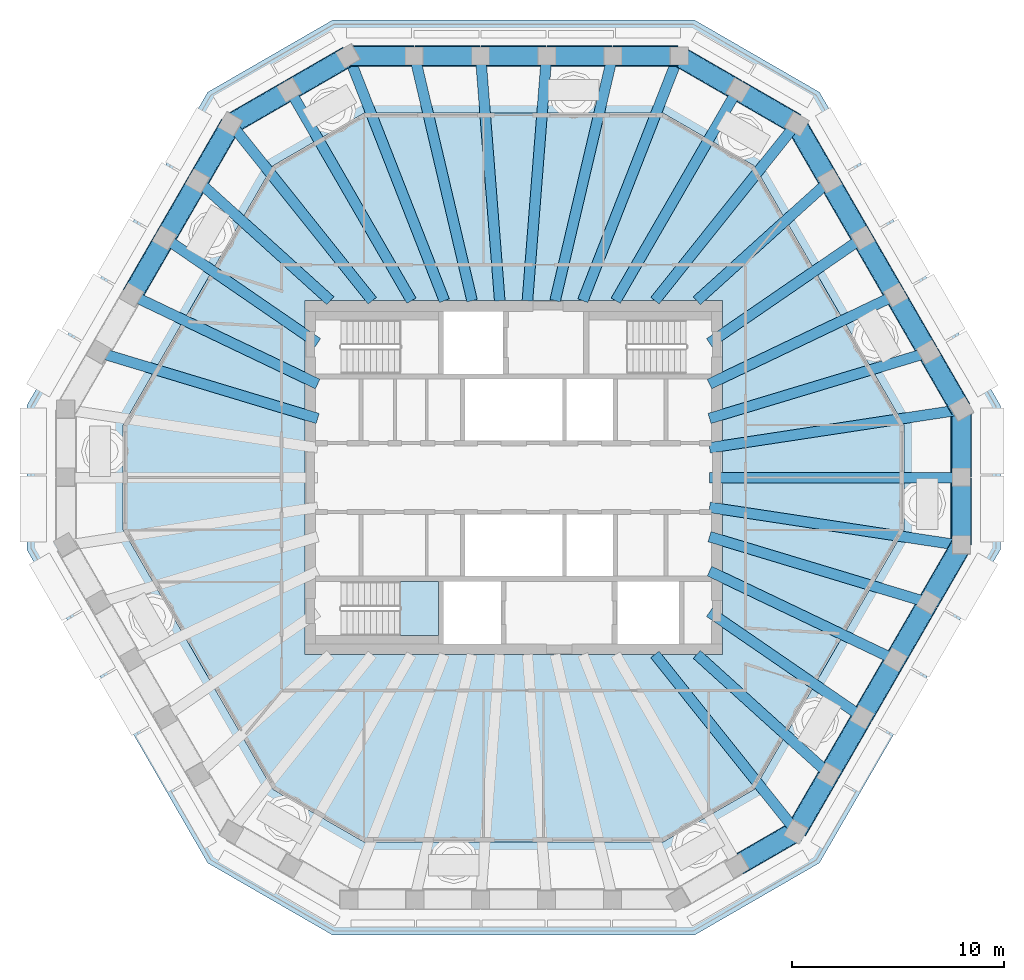
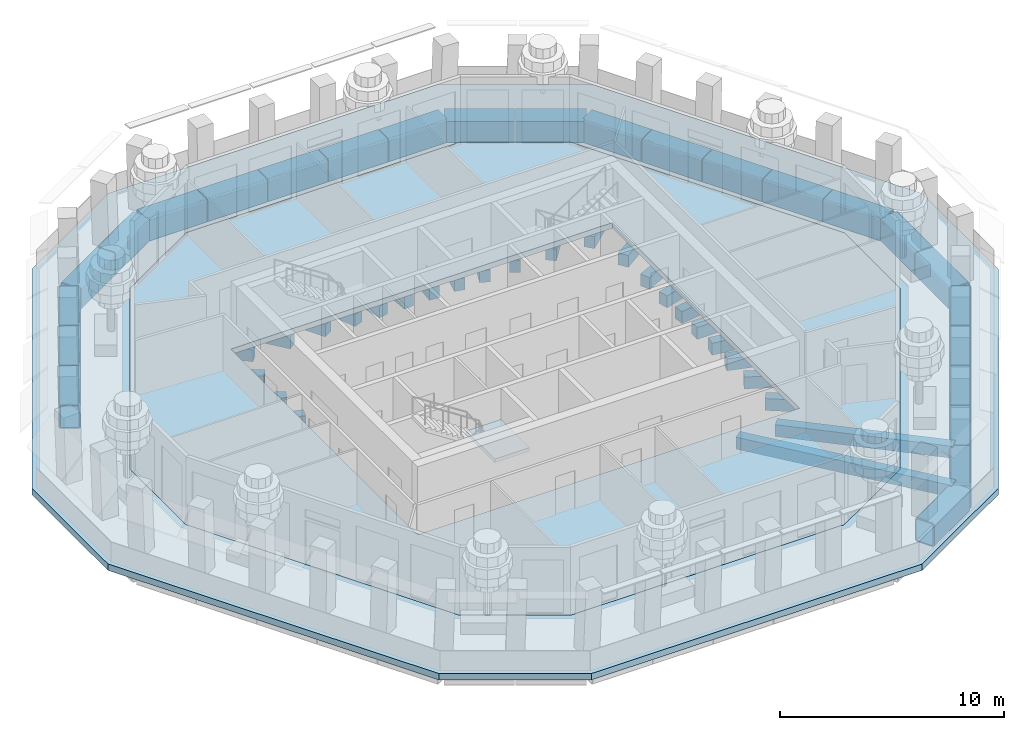
# One storey, part 2 of 13: 51 beams, 3 slabs, 1 element without a shape of its own.
"""IFC4 building model written with IfcOpenShell, lengths in metres."""

from ifc_helpers import new_model, si_unit, direction, frame, origin, origin_2d, place, context, subcontext, project, spatial, polyline, rectangle, hollow_rectangle, outline, extrude, material, layer, layer_set, material_profile, profile_set, type_object, element, aggregate, save


model = new_model("IFC4")

# Units and contexts
model_context = context("Model", 3, precision=1e-05, world=origin(), true_north=direction((0.0, 1.0)))
body_context = subcontext(model_context, "Body", "Model", "MODEL_VIEW")
ifc_project = project(units=[si_unit("LENGTHUNIT", "METRE"), si_unit("AREAUNIT", "SQUARE_METRE"), si_unit("VOLUMEUNIT", "CUBIC_METRE"), si_unit("PLANEANGLEUNIT", "RADIAN"), si_unit("MASSUNIT", "GRAM", prefix="KILO")], contexts=[model_context])

# Site, building, storey
site_placement = place(None, origin())
site = spatial("IfcSite", under=ifc_project, at=site_placement, CompositionType="ELEMENT")
building_placement = place(site_placement, origin())
building = spatial("IfcBuilding", under=site, at=building_placement, Name="Frailejon Research Tower", CompositionType="ELEMENT")
storey_placement = place(building_placement, frame((0.0, 0.0, 308.60009765625)))
storey = spatial("IfcBuildingStorey", under=building, at=storey_placement, Name="L68", CompositionType="ELEMENT", Elevation=308.60009765625)

# Beams
ifc_material_1 = material(Name="Steel S355", Category="steel")
ifc_material_profile_1 = material_profile(ifc_material_1, hollow_rectangle(XDim=1.0, YDim=1.300048828125, WallThickness=0.06005859375, InnerFilletRadius=0.06005859375, OuterFilletRadius=0.1201171875, at=origin_2d()), Name="Belt chord")
ifc_profile_set_1 = profile_set([ifc_material_profile_1], Name="Steel S355")
beam_type_1 = type_object("IfcBeamType", Name="Belt chord", PredefinedType="BEAM", material=ifc_profile_set_1)
for number, where, z_axis, x_axis, name in (
    (1, (21.12744140625, -3.18603515625, -1.0), (0.0, 1.0, 0.0), (-1.0, 0.0, 0.0), "Belt chord"),
    (2, (21.12744140625, 0.02001953125, -1.0), (0.0, 1.0, 0.0), (-1.0, 0.0, 0.0), "Belt chord"),
):
    element("IfcBeam", number, at=place(storey_placement, frame(where, z_axis=z_axis, x_axis=x_axis)), inside=storey, type_object=beam_type_1, Name=name, PredefinedType="BEAM", context=body_context, shape_type="SweptSolid", body=[
        extrude(hollow_rectangle(XDim=1.0, YDim=1.300048828125, WallThickness=0.06005859375, InnerFilletRadius=0.06005859375, OuterFilletRadius=0.1201171875, at=origin_2d()), origin(), (0.0, 0.0, 1.0), 3.166015625),
    ])
beam_1_placement = place(storey_placement, frame((21.117431640625, 3.223388671875, -1.0), z_axis=(-0.499990508365, 0.866030883713, 0.0), x_axis=(-0.866030883713, -0.499990508365, 0.0)))
element("IfcBeam", 3, at=beam_1_placement, inside=storey, type_object=beam_type_1, Name="Belt chord", PredefinedType="BEAM", context=body_context, shape_type="SweptSolid", body=[
    extrude(hollow_rectangle(XDim=1.0, YDim=1.300048828125, WallThickness=0.06005859375, InnerFilletRadius=0.06005859375, OuterFilletRadius=0.1201171875, at=origin_2d()), origin(), (0.0, 0.0, 1.0), 3.07470703125),
])
beam_2_placement = place(storey_placement, frame((19.56005859375, 5.9208984375, -1.0), z_axis=(-0.499956128963, 0.866050731258, 0.0), x_axis=(-0.866050731258, -0.499956128963, 0.0)))
element("IfcBeam", 4, at=beam_2_placement, inside=storey, type_object=beam_type_1, Name="Belt chord", PredefinedType="BEAM", context=body_context, shape_type="SweptSolid", body=[
    extrude(hollow_rectangle(XDim=1.0, YDim=1.300048828125, WallThickness=0.06005859375, InnerFilletRadius=0.06005859375, OuterFilletRadius=0.1201171875, at=origin_2d()), origin(), (0.0, 0.0, 1.0), 3.074951171875),
])
beam_3_placement = place(storey_placement, frame((18.002685546875, 8.618408203125, -1.0), z_axis=(-0.500015675843, 0.866016353143, 0.0), x_axis=(-0.866016353143, -0.500015675843, 0.0)))
element("IfcBeam", 5, at=beam_3_placement, inside=storey, type_object=beam_type_1, Name="Belt chord", PredefinedType="BEAM", context=body_context, shape_type="SweptSolid", body=[
    extrude(hollow_rectangle(XDim=1.0, YDim=1.300048828125, WallThickness=0.06005859375, InnerFilletRadius=0.06005859375, OuterFilletRadius=0.1201171875, at=origin_2d()), origin(), (0.0, 0.0, 1.0), 3.0751953125),
])
beam_4_placement = place(storey_placement, frame((16.4453125, 11.316162109375, -1.0), z_axis=(-0.50005005661, 0.865996501658, 0.0), x_axis=(-0.865996501658, -0.50005005661, 0.0)))
element("IfcBeam", 6, at=beam_4_placement, inside=storey, type_object=beam_type_1, Name="Belt chord", PredefinedType="BEAM", context=body_context, shape_type="SweptSolid", body=[
    extrude(hollow_rectangle(XDim=1.0, YDim=1.300048828125, WallThickness=0.06005859375, InnerFilletRadius=0.06005859375, OuterFilletRadius=0.1201171875, at=origin_2d()), origin(), (0.0, 0.0, 1.0), 3.074951171875),
])
beam_5_placement = place(storey_placement, frame((14.8876953125, 14.013671875, -1.0), z_axis=(-0.499990508365, 0.866030883713, 0.0), x_axis=(-0.866030883713, -0.499990508365, 0.0)))
element("IfcBeam", 7, at=beam_5_placement, inside=storey, type_object=beam_type_1, Name="Belt chord", PredefinedType="BEAM", context=body_context, shape_type="SweptSolid", body=[
    extrude(hollow_rectangle(XDim=1.0, YDim=1.300048828125, WallThickness=0.06005859375, InnerFilletRadius=0.06005859375, OuterFilletRadius=0.1201171875, at=origin_2d()), origin(), (0.0, 0.0, 1.0), 3.07470703125),
])
beam_6_placement = place(storey_placement, frame((13.322998046875, 16.703857421875, -1.0), z_axis=(-0.865999388567, 0.500045056972, 0.0), x_axis=(-0.500045056972, -0.865999388567, 0.0)))
element("IfcBeam", 8, at=beam_6_placement, inside=storey, type_object=beam_type_1, Name="Belt chord", PredefinedType="BEAM", context=body_context, shape_type="SweptSolid", body=[
    extrude(hollow_rectangle(XDim=1.0, YDim=1.300048828125, WallThickness=0.06005859375, InnerFilletRadius=0.06005859375, OuterFilletRadius=0.1201171875, at=origin_2d()), origin(), (0.0, 0.0, 1.0), 3.166259765625),
])
beam_7_placement = place(storey_placement, frame((10.54638671875, 18.306884765625, -1.0), z_axis=(-0.866032778651, 0.499987226139, 0.0), x_axis=(-0.499987226139, -0.866032778651, 0.0)))
element("IfcBeam", 9, at=beam_7_placement, inside=storey, type_object=beam_type_1, Name="Belt chord", PredefinedType="BEAM", context=body_context, shape_type="SweptSolid", body=[
    extrude(hollow_rectangle(XDim=1.0, YDim=1.300048828125, WallThickness=0.06005859375, InnerFilletRadius=0.06005859375, OuterFilletRadius=0.1201171875, at=origin_2d()), origin(), (0.0, 0.0, 1.0), 3.166015625),
])
beam_8_placement = place(storey_placement, frame((7.76708984375, 19.89990234375, -1.0), z_axis=(-1.0, 0.0, 0.0), x_axis=(0.0, -1.0, 0.0)))
element("IfcBeam", 10, at=beam_8_placement, inside=storey, type_object=beam_type_1, Name="Belt chord", PredefinedType="BEAM", context=body_context, shape_type="SweptSolid", body=[
    extrude(hollow_rectangle(XDim=1.0, YDim=1.300048828125, WallThickness=0.06005859375, InnerFilletRadius=0.06005859375, OuterFilletRadius=0.1201171875, at=origin_2d()), origin(), (0.0, 0.0, 1.0), 3.07470703125),
])
beam_9_placement = place(storey_placement, frame((4.65234375, 19.89990234375, -1.0), z_axis=(-1.0, 0.0, 0.0), x_axis=(0.0, -1.0, 0.0)))
element("IfcBeam", 11, at=beam_9_placement, inside=storey, type_object=beam_type_1, Name="Belt chord", PredefinedType="BEAM", context=body_context, shape_type="SweptSolid", body=[
    extrude(hollow_rectangle(XDim=1.0, YDim=1.300048828125, WallThickness=0.06005859375, InnerFilletRadius=0.06005859375, OuterFilletRadius=0.1201171875, at=origin_2d()), origin(), (0.0, 0.0, 1.0), 3.074951171875),
])
beam_10_placement = place(storey_placement, frame((1.537353515625, 19.89990234375, -1.0), z_axis=(-1.0, 0.0, 0.0), x_axis=(0.0, -1.0, 0.0)))
element("IfcBeam", 12, at=beam_10_placement, inside=storey, type_object=beam_type_1, Name="Belt chord", PredefinedType="BEAM", context=body_context, shape_type="SweptSolid", body=[
    extrude(hollow_rectangle(XDim=1.0, YDim=1.300048828125, WallThickness=0.06005859375, InnerFilletRadius=0.06005859375, OuterFilletRadius=0.1201171875, at=origin_2d()), origin(), (0.0, 0.0, 1.0), 3.07470703125),
])
beam_11_placement = place(storey_placement, frame((-1.577392578125, 19.89990234375, -1.0), z_axis=(-1.0, 0.0, 0.0), x_axis=(0.0, -1.0, 0.0)))
element("IfcBeam", 13, at=beam_11_placement, inside=storey, type_object=beam_type_1, Name="Belt chord", PredefinedType="BEAM", context=body_context, shape_type="SweptSolid", body=[
    extrude(hollow_rectangle(XDim=1.0, YDim=1.300048828125, WallThickness=0.06005859375, InnerFilletRadius=0.06005859375, OuterFilletRadius=0.1201171875, at=origin_2d()), origin(), (0.0, 0.0, 1.0), 3.074951171875),
])
beam_12_placement = place(storey_placement, frame((-4.6923828125, 19.89990234375, -1.0), z_axis=(-1.0, 0.0, 0.0), x_axis=(0.0, -1.0, 0.0)))
element("IfcBeam", 14, at=beam_12_placement, inside=storey, type_object=beam_type_1, Name="Belt chord", PredefinedType="BEAM", context=body_context, shape_type="SweptSolid", body=[
    extrude(hollow_rectangle(XDim=1.0, YDim=1.300048828125, WallThickness=0.06005859375, InnerFilletRadius=0.06005859375, OuterFilletRadius=0.1201171875, at=origin_2d()), origin(), (0.0, 0.0, 1.0), 3.07470703125),
])
beam_13_placement = place(storey_placement, frame((-7.804443359375, 19.889892578125, -1.0), z_axis=(-0.866032778651, -0.499987226139, 0.0), x_axis=(0.499987226139, -0.866032778651, 0.0)))
element("IfcBeam", 15, at=beam_13_placement, inside=storey, type_object=beam_type_1, Name="Belt chord", PredefinedType="BEAM", context=body_context, shape_type="SweptSolid", body=[
    extrude(hollow_rectangle(XDim=1.0, YDim=1.300048828125, WallThickness=0.06005859375, InnerFilletRadius=0.06005859375, OuterFilletRadius=0.1201171875, at=origin_2d()), origin(), (0.0, 0.0, 1.0), 3.166015625),
])
beam_14_placement = place(storey_placement, frame((-10.5810546875, 18.287109375, -1.0), z_axis=(-0.865999388567, -0.500045056972, 0.0), x_axis=(0.500045056972, -0.865999388567, 0.0)))
element("IfcBeam", 16, at=beam_14_placement, inside=storey, type_object=beam_type_1, Name="Belt chord", PredefinedType="BEAM", context=body_context, shape_type="SweptSolid", body=[
    extrude(hollow_rectangle(XDim=1.0, YDim=1.300048828125, WallThickness=0.06005859375, InnerFilletRadius=0.06005859375, OuterFilletRadius=0.1201171875, at=origin_2d()), origin(), (0.0, 0.0, 1.0), 3.166259765625),
])
beam_15_placement = place(storey_placement, frame((-13.350341796875, 16.676513671875, -1.0), z_axis=(-0.499990508365, -0.866030883713, 0.0), x_axis=(0.866030883713, -0.499990508365, 0.0)))
element("IfcBeam", 17, at=beam_15_placement, inside=storey, type_object=beam_type_1, Name="Belt chord", PredefinedType="BEAM", context=body_context, shape_type="SweptSolid", body=[
    extrude(hollow_rectangle(XDim=1.0, YDim=1.300048828125, WallThickness=0.06005859375, InnerFilletRadius=0.06005859375, OuterFilletRadius=0.1201171875, at=origin_2d()), origin(), (0.0, 0.0, 1.0), 3.07470703125),
])
beam_16_placement = place(storey_placement, frame((-14.90771484375, 13.97900390625, -1.0), z_axis=(-0.50005005661, -0.865996501658, 0.0), x_axis=(0.865996501658, -0.50005005661, 0.0)))
element("IfcBeam", 18, at=beam_16_placement, inside=storey, type_object=beam_type_1, Name="Belt chord", PredefinedType="BEAM", context=body_context, shape_type="SweptSolid", body=[
    extrude(hollow_rectangle(XDim=1.0, YDim=1.300048828125, WallThickness=0.06005859375, InnerFilletRadius=0.06005859375, OuterFilletRadius=0.1201171875, at=origin_2d()), origin(), (0.0, 0.0, 1.0), 3.074951171875),
])
beam_17_placement = place(storey_placement, frame((-16.465087890625, 11.281494140625, -1.0), z_axis=(-0.500015675843, -0.866016353143, 0.0), x_axis=(0.866016353143, -0.500015675843, 0.0)))
element("IfcBeam", 19, at=beam_17_placement, inside=storey, type_object=beam_type_1, Name="Belt chord", PredefinedType="BEAM", context=body_context, shape_type="SweptSolid", body=[
    extrude(hollow_rectangle(XDim=1.0, YDim=1.300048828125, WallThickness=0.06005859375, InnerFilletRadius=0.06005859375, OuterFilletRadius=0.1201171875, at=origin_2d()), origin(), (0.0, 0.0, 1.0), 3.0751953125),
])
beam_18_placement = place(storey_placement, frame((10.5810546875, -18.287109375, -1.0), z_axis=(0.865999388567, 0.500045056972, 0.0), x_axis=(-0.500045056972, 0.865999388567, 0.0)))
element("IfcBeam", 20, at=beam_18_placement, inside=storey, type_object=beam_type_1, Name="Belt chord", PredefinedType="BEAM", context=body_context, shape_type="SweptSolid", body=[
    extrude(hollow_rectangle(XDim=1.0, YDim=1.300048828125, WallThickness=0.06005859375, InnerFilletRadius=0.06005859375, OuterFilletRadius=0.1201171875, at=origin_2d()), origin(), (0.0, 0.0, 1.0), 3.166259765625),
])
beam_19_placement = place(storey_placement, frame((13.350341796875, -16.676513671875, -1.0), z_axis=(0.499990508365, 0.866030883713, 0.0), x_axis=(-0.866030883713, 0.499990508365, 0.0)))
element("IfcBeam", 21, at=beam_19_placement, inside=storey, type_object=beam_type_1, Name="Belt chord", PredefinedType="BEAM", context=body_context, shape_type="SweptSolid", body=[
    extrude(hollow_rectangle(XDim=1.0, YDim=1.300048828125, WallThickness=0.06005859375, InnerFilletRadius=0.06005859375, OuterFilletRadius=0.1201171875, at=origin_2d()), origin(), (0.0, 0.0, 1.0), 3.07470703125),
])
beam_20_placement = place(storey_placement, frame((14.90771484375, -13.97900390625, -1.0), z_axis=(0.50005005661, 0.865996501658, 0.0), x_axis=(-0.865996501658, 0.50005005661, 0.0)))
element("IfcBeam", 22, at=beam_20_placement, inside=storey, type_object=beam_type_1, Name="Belt chord", PredefinedType="BEAM", context=body_context, shape_type="SweptSolid", body=[
    extrude(hollow_rectangle(XDim=1.0, YDim=1.300048828125, WallThickness=0.06005859375, InnerFilletRadius=0.06005859375, OuterFilletRadius=0.1201171875, at=origin_2d()), origin(), (0.0, 0.0, 1.0), 3.074951171875),
])
beam_21_placement = place(storey_placement, frame((16.465087890625, -11.281494140625, -1.0), z_axis=(0.500015675843, 0.866016353143, 0.0), x_axis=(-0.866016353143, 0.500015675843, 0.0)))
element("IfcBeam", 23, at=beam_21_placement, inside=storey, type_object=beam_type_1, Name="Belt chord", PredefinedType="BEAM", context=body_context, shape_type="SweptSolid", body=[
    extrude(hollow_rectangle(XDim=1.0, YDim=1.300048828125, WallThickness=0.06005859375, InnerFilletRadius=0.06005859375, OuterFilletRadius=0.1201171875, at=origin_2d()), origin(), (0.0, 0.0, 1.0), 3.0751953125),
])
beam_22_placement = place(storey_placement, frame((18.022705078125, -8.583984375, -1.0), z_axis=(0.499956128963, 0.866050731258, 0.0), x_axis=(-0.866050731258, 0.499956128963, 0.0)))
element("IfcBeam", 24, at=beam_22_placement, inside=storey, type_object=beam_type_1, Name="Belt chord", PredefinedType="BEAM", context=body_context, shape_type="SweptSolid", body=[
    extrude(hollow_rectangle(XDim=1.0, YDim=1.300048828125, WallThickness=0.06005859375, InnerFilletRadius=0.06005859375, OuterFilletRadius=0.1201171875, at=origin_2d()), origin(), (0.0, 0.0, 1.0), 3.074951171875),
])
beam_23_placement = place(storey_placement, frame((19.580078125, -5.88623046875, -1.0), z_axis=(0.499990508365, 0.866030883713, 0.0), x_axis=(-0.866030883713, 0.499990508365, 0.0)))
element("IfcBeam", 25, at=beam_23_placement, inside=storey, type_object=beam_type_1, Name="Belt chord", PredefinedType="BEAM", context=body_context, shape_type="SweptSolid", body=[
    extrude(hollow_rectangle(XDim=1.0, YDim=1.300048828125, WallThickness=0.06005859375, InnerFilletRadius=0.06005859375, OuterFilletRadius=0.1201171875, at=origin_2d()), origin(), (0.0, 0.0, 1.0), 3.07470703125),
])
ifc_material_2 = material(Name="Concrete C60/75", Category="concrete")
ifc_material_profile_2 = material_profile(ifc_material_2, rectangle(XDim=0.5, YDim=0.64990234375, at=origin_2d()), Name="Girder 500x650")
ifc_profile_set_2 = profile_set([ifc_material_profile_2], Name="Concrete C60/75")
beam_type_2 = type_object("IfcBeamType", Name="Girder 500x650", PredefinedType="BEAM", material=ifc_profile_set_2)
beam_24_placement = place(storey_placement, frame((20.850830078125, -3.1640625, -0.625), z_axis=(-0.988683262356, 0.150018021373, 0.0), x_axis=(-0.150018021373, -0.988683262356, 0.0)))
element("IfcBeam", 26, at=beam_24_placement, inside=storey, type_object=beam_type_2, Name="Girder 500x650", PredefinedType="BEAM", context=body_context, shape_type="SweptSolid", body=[
    extrude(rectangle(XDim=0.5, YDim=0.64990234375, at=origin_2d()), origin(), (0.0, 0.0, 1.0), 11.733642578125),
])
beam_25_placement = place(storey_placement, frame((20.8525390625, 0.0, -0.625), z_axis=(-1.0, 0.0, 0.0), x_axis=(0.0, -1.0, 0.0)))
element("IfcBeam", 27, at=beam_25_placement, inside=storey, type_object=beam_type_2, Name="Girder 500x650", PredefinedType="BEAM", context=body_context, shape_type="SweptSolid", body=[
    extrude(rectangle(XDim=0.5, YDim=0.64990234375, at=origin_2d()), origin(), (0.0, 0.0, 1.0), 11.6025390625),
])
beam_26_placement = place(storey_placement, frame((20.82470703125, 3.16015625, -0.625), z_axis=(-0.988682533426, -0.150022825258, 0.0), x_axis=(0.150022825258, -0.988682533426, 0.0)))
element("IfcBeam", 28, at=beam_26_placement, inside=storey, type_object=beam_type_2, Name="Girder 500x650", PredefinedType="BEAM", context=body_context, shape_type="SweptSolid", body=[
    extrude(rectangle(XDim=0.5, YDim=0.64990234375, at=origin_2d()), origin(), (0.0, 0.0, 1.0), 11.707275390625),
])
beam_27_placement = place(storey_placement, frame((19.2958984375, 5.82080078125, -0.625), z_axis=(-0.957385869994, -0.288811869452, 0.0), x_axis=(0.288811869452, -0.957385869994, 0.0)))
element("IfcBeam", 29, at=beam_27_placement, inside=storey, type_object=beam_type_2, Name="Girder 500x650", PredefinedType="BEAM", context=body_context, shape_type="SweptSolid", body=[
    extrude(rectangle(XDim=0.5, YDim=0.64990234375, at=origin_2d()), origin(), (0.0, 0.0, 1.0), 10.4931640625),
])
beam_28_placement = place(storey_placement, frame((17.76318359375, 8.482177734375, -0.625), z_axis=(-0.902395512011, -0.430908737324, 0.0), x_axis=(0.430908737324, -0.902395512011, 0.0)))
element("IfcBeam", 30, at=beam_28_placement, inside=storey, type_object=beam_type_2, Name="Girder 500x650", PredefinedType="BEAM", context=body_context, shape_type="SweptSolid", body=[
    extrude(rectangle(XDim=0.5, YDim=0.64990234375, at=origin_2d()), origin(), (0.0, 0.0, 1.0), 9.43408203125),
])
beam_29_placement = place(storey_placement, frame((16.227294921875, 11.142333984375, -0.625), z_axis=(-0.824365819258, -0.566057414084, 0.0), x_axis=(0.566057414084, -0.824365819258, 0.0)))
element("IfcBeam", 31, at=beam_29_placement, inside=storey, type_object=beam_type_2, Name="Girder 500x650", PredefinedType="BEAM", context=body_context, shape_type="SweptSolid", body=[
    extrude(rectangle(XDim=0.5, YDim=0.64990234375, at=origin_2d()), origin(), (0.0, 0.0, 1.0), 8.4638671875),
])
beam_30_placement = place(storey_placement, frame((14.6865234375, 13.805419921875, -0.625), z_axis=(-0.741925917457, -0.670481866277, 0.0), x_axis=(0.670481866277, -0.741925917457, 0.0)))
element("IfcBeam", 32, at=beam_30_placement, inside=storey, type_object=beam_type_2, Name="Girder 500x650", PredefinedType="BEAM", context=body_context, shape_type="SweptSolid", body=[
    extrude(rectangle(XDim=0.5, YDim=0.64990234375, at=origin_2d()), origin(), (0.0, 0.0, 1.0), 8.136474609375),
])
beam_31_placement = place(storey_placement, frame((13.16552734375, 16.475341796875, -0.625), z_axis=(-0.624268430049, -0.781209912407, 0.0), x_axis=(0.781209912407, -0.624268430049, 0.0)))
element("IfcBeam", 33, at=beam_31_placement, inside=storey, type_object=beam_type_2, Name="Girder 500x650", PredefinedType="BEAM", context=body_context, shape_type="SweptSolid", body=[
    extrude(rectangle(XDim=0.5, YDim=0.64990234375, at=origin_2d()), origin(), (0.0, 0.0, 1.0), 10.40087890625),
])
beam_32_placement = place(storey_placement, frame((10.42626953125, 18.058837890625, -0.625), z_axis=(-0.500008359956, -0.866020577108, 0.0), x_axis=(0.866020577108, -0.500008359956, 0.0)))
element("IfcBeam", 34, at=beam_32_placement, inside=storey, type_object=beam_type_2, Name="Girder 500x650", PredefinedType="BEAM", context=body_context, shape_type="SweptSolid", body=[
    extrude(rectangle(XDim=0.5, YDim=0.64990234375, at=origin_2d()), origin(), (0.0, 0.0, 1.0), 11.210693359375),
])
beam_33_placement = place(storey_placement, frame((7.675537109375, 19.61474609375, -0.625), z_axis=(-0.36440315356, -0.931241290792, 0.0), x_axis=(0.931241290792, -0.36440315356, 0.0)))
element("IfcBeam", 35, at=beam_33_placement, inside=storey, type_object=beam_type_2, Name="Girder 500x650", PredefinedType="BEAM", context=body_context, shape_type="SweptSolid", body=[
    extrude(rectangle(XDim=0.5, YDim=0.64990234375, at=origin_2d()), origin(), (0.0, 0.0, 1.0), 12.096435546875),
])
beam_34_placement = place(storey_placement, frame((4.606689453125, 19.62109375, -0.625), z_axis=(-0.228567982791, -0.973527954012, 0.0), x_axis=(0.973527954012, -0.228567982791, 0.0)))
element("IfcBeam", 36, at=beam_34_placement, inside=storey, type_object=beam_type_2, Name="Girder 500x650", PredefinedType="BEAM", context=body_context, shape_type="SweptSolid", body=[
    extrude(rectangle(XDim=0.5, YDim=0.64990234375, at=origin_2d()), origin(), (0.0, 0.0, 1.0), 11.577392578125),
])
for number, where, z_axis, x_axis, name in (
    (37, (1.535888671875, 19.62451171875, -0.625), (-0.078020434403, -0.996951760024, 0.0), (0.996951760024, -0.078020434403, 0.0), "Girder 500x650"),
    (38, (-1.535888671875, 19.62451171875, -0.625), (0.078020434403, -0.996951760024, 0.0), (0.996951760024, 0.078020434403, 0.0), "Girder 500x650"),
):
    element("IfcBeam", number, at=place(storey_placement, frame(where, z_axis=z_axis, x_axis=x_axis)), inside=storey, type_object=beam_type_2, Name=name, PredefinedType="BEAM", context=body_context, shape_type="SweptSolid", body=[
        extrude(rectangle(XDim=0.5, YDim=0.64990234375, at=origin_2d()), origin(), (0.0, 0.0, 1.0), 11.308837890625),
    ])
beam_35_placement = place(storey_placement, frame((-4.606689453125, 19.62109375, -0.625), z_axis=(0.228567982791, -0.973527954012, 0.0), x_axis=(0.973527954012, 0.228567982791, 0.0)))
element("IfcBeam", 39, at=beam_35_placement, inside=storey, type_object=beam_type_2, Name="Girder 500x650", PredefinedType="BEAM", context=body_context, shape_type="SweptSolid", body=[
    extrude(rectangle(XDim=0.5, YDim=0.64990234375, at=origin_2d()), origin(), (0.0, 0.0, 1.0), 11.577392578125),
])
beam_36_placement = place(storey_placement, frame((-7.685302734375, 19.639404296875, -0.625), z_axis=(0.364411497855, -0.93123802555, 0.0), x_axis=(0.93123802555, 0.364411497855, 0.0)))
element("IfcBeam", 40, at=beam_36_placement, inside=storey, type_object=beam_type_2, Name="Girder 500x650", PredefinedType="BEAM", context=body_context, shape_type="SweptSolid", body=[
    extrude(rectangle(XDim=0.5, YDim=0.64990234375, at=origin_2d()), origin(), (0.0, 0.0, 1.0), 12.122802734375),
])
beam_37_placement = place(storey_placement, frame((-10.42626953125, 18.058837890625, -0.625), z_axis=(0.500008359956, -0.866020577108, 0.0), x_axis=(0.866020577108, 0.500008359956, 0.0)))
element("IfcBeam", 41, at=beam_37_placement, inside=storey, type_object=beam_type_2, Name="Girder 500x650", PredefinedType="BEAM", context=body_context, shape_type="SweptSolid", body=[
    extrude(rectangle(XDim=0.5, YDim=0.64990234375, at=origin_2d()), origin(), (0.0, 0.0, 1.0), 11.210693359375),
])
beam_38_placement = place(storey_placement, frame((-13.14892578125, 16.45458984375, -0.625), z_axis=(0.624267336957, -0.781210785902, 0.0), x_axis=(0.781210785902, 0.624267336957, 0.0)))
element("IfcBeam", 42, at=beam_38_placement, inside=storey, type_object=beam_type_2, Name="Girder 500x650", PredefinedType="BEAM", context=body_context, shape_type="SweptSolid", body=[
    extrude(rectangle(XDim=0.5, YDim=0.64990234375, at=origin_2d()), origin(), (0.0, 0.0, 1.0), 10.374267578125),
])
beam_39_placement = place(storey_placement, frame((-14.6865234375, 13.805419921875, -0.625), z_axis=(0.741925917457, -0.670481866277, 0.0), x_axis=(0.670481866277, 0.741925917457, 0.0)))
element("IfcBeam", 43, at=beam_39_placement, inside=storey, type_object=beam_type_2, Name="Girder 500x650", PredefinedType="BEAM", context=body_context, shape_type="SweptSolid", body=[
    extrude(rectangle(XDim=0.5, YDim=0.64990234375, at=origin_2d()), origin(), (0.0, 0.0, 1.0), 8.136474609375),
])
beam_40_placement = place(storey_placement, frame((-16.227294921875, 11.142333984375, -0.625), z_axis=(0.824365819258, -0.566057414084, 0.0), x_axis=(0.566057414084, 0.824365819258, 0.0)))
element("IfcBeam", 44, at=beam_40_placement, inside=storey, type_object=beam_type_2, Name="Girder 500x650", PredefinedType="BEAM", context=body_context, shape_type="SweptSolid", body=[
    extrude(rectangle(XDim=0.5, YDim=0.64990234375, at=origin_2d()), origin(), (0.0, 0.0, 1.0), 8.4638671875),
])
beam_41_placement = place(storey_placement, frame((-17.76318359375, 8.482177734375, -0.625), z_axis=(0.902395512011, -0.430908737324, 0.0), x_axis=(0.430908737324, 0.902395512011, 0.0)))
element("IfcBeam", 45, at=beam_41_placement, inside=storey, type_object=beam_type_2, Name="Girder 500x650", PredefinedType="BEAM", context=body_context, shape_type="SweptSolid", body=[
    extrude(rectangle(XDim=0.5, YDim=0.64990234375, at=origin_2d()), origin(), (0.0, 0.0, 1.0), 9.43408203125),
])
beam_42_placement = place(storey_placement, frame((-19.2958984375, 5.82080078125, -0.625), z_axis=(0.957385869994, -0.288811869452, 0.0), x_axis=(0.288811869452, 0.957385869994, 0.0)))
element("IfcBeam", 46, at=beam_42_placement, inside=storey, type_object=beam_type_2, Name="Girder 500x650", PredefinedType="BEAM", context=body_context, shape_type="SweptSolid", body=[
    extrude(rectangle(XDim=0.5, YDim=0.64990234375, at=origin_2d()), origin(), (0.0, 0.0, 1.0), 10.4931640625),
])
beam_43_placement = place(storey_placement, frame((13.14892578125, -16.45458984375, -0.625), z_axis=(-0.624267336957, 0.781210785902, 0.0), x_axis=(-0.781210785902, -0.624267336957, 0.0)))
element("IfcBeam", 47, at=beam_43_placement, inside=storey, type_object=beam_type_2, Name="Girder 500x650", PredefinedType="BEAM", context=body_context, shape_type="SweptSolid", body=[
    extrude(rectangle(XDim=0.5, YDim=0.64990234375, at=origin_2d()), origin(), (0.0, 0.0, 1.0), 10.374267578125),
])
beam_44_placement = place(storey_placement, frame((14.6865234375, -13.805419921875, -0.625), z_axis=(-0.741925917457, 0.670481866277, 0.0), x_axis=(-0.670481866277, -0.741925917457, 0.0)))
element("IfcBeam", 48, at=beam_44_placement, inside=storey, type_object=beam_type_2, Name="Girder 500x650", PredefinedType="BEAM", context=body_context, shape_type="SweptSolid", body=[
    extrude(rectangle(XDim=0.5, YDim=0.64990234375, at=origin_2d()), origin(), (0.0, 0.0, 1.0), 8.136474609375),
])
beam_45_placement = place(storey_placement, frame((16.227294921875, -11.142333984375, -0.625), z_axis=(-0.824365819258, 0.566057414084, 0.0), x_axis=(-0.566057414084, -0.824365819258, 0.0)))
element("IfcBeam", 49, at=beam_45_placement, inside=storey, type_object=beam_type_2, Name="Girder 500x650", PredefinedType="BEAM", context=body_context, shape_type="SweptSolid", body=[
    extrude(rectangle(XDim=0.5, YDim=0.64990234375, at=origin_2d()), origin(), (0.0, 0.0, 1.0), 8.4638671875),
])
beam_46_placement = place(storey_placement, frame((17.76318359375, -8.482177734375, -0.625), z_axis=(-0.902395512011, 0.430908737324, 0.0), x_axis=(-0.430908737324, -0.902395512011, 0.0)))
element("IfcBeam", 50, at=beam_46_placement, inside=storey, type_object=beam_type_2, Name="Girder 500x650", PredefinedType="BEAM", context=body_context, shape_type="SweptSolid", body=[
    extrude(rectangle(XDim=0.5, YDim=0.64990234375, at=origin_2d()), origin(), (0.0, 0.0, 1.0), 9.43408203125),
])
beam_47_placement = place(storey_placement, frame((19.2958984375, -5.82080078125, -0.625), z_axis=(-0.957385869994, 0.288811869452, 0.0), x_axis=(-0.288811869452, -0.957385869994, 0.0)))
element("IfcBeam", 51, at=beam_47_placement, inside=storey, type_object=beam_type_2, Name="Girder 500x650", PredefinedType="BEAM", context=body_context, shape_type="SweptSolid", body=[
    extrude(rectangle(XDim=0.5, YDim=0.64990234375, at=origin_2d()), origin(), (0.0, 0.0, 1.0), 10.4931640625),
])

# Slabs
ifc_material_3 = material(Name="Concrete C40/50", Category="concrete")
ifc_layer_1 = layer(ifc_material_3, 0.35009765625)
ifc_layer_set_1 = layer_set([ifc_layer_1], Name="Setback terrace slab 350")
slab_type_1 = type_object("IfcSlabType", Name="Setback terrace slab 350", PredefinedType="ROOF", material=ifc_layer_set_1)
slab_1_placement = place(storey_placement, frame((0.0, 0.0, -0.35009765625)))
element("IfcSlab", 52, at=slab_1_placement, inside=storey, type_object=slab_type_1, Name="Setback terrace slab L68", PredefinedType="ROOF", context=body_context, shape_type="SweptSolid", body=[
    extrude(outline(polyline([(14.4384765625, -18.19189453125), (8.535400390625, -21.60009765625), (-8.535400390625, -21.60009765625), (-14.4384765625, -18.19189453125), (-22.973876953125, -3.408203125), (-22.973876953125, 3.408203125), (-14.4384765625, 18.19189453125), (-8.535400390625, 21.60009765625), (8.535400390625, 21.60009765625), (14.4384765625, 18.19189453125), (22.973876953125, 3.408203125), (22.973876953125, -3.408203125), (14.4384765625, -18.19189453125)]), holes=[polyline([(18.427490234375, 2.482666015625), (11.36376953125, 14.71728515625), (7.063720703125, 17.199951171875), (-7.063720703125, 17.199951171875), (-11.36376953125, 14.71728515625), (-18.427490234375, 2.482666015625), (-18.427490234375, -2.482666015625), (-11.36376953125, -14.71728515625), (-7.063720703125, -17.199951171875), (7.063720703125, -17.199951171875), (11.36376953125, -14.71728515625), (18.427490234375, -2.482666015625), (18.427490234375, 2.482666015625)])]), origin(), (0.0, 0.0, 1.0), 0.35009765625),
])
ifc_material_4 = material(Name="Concrete C40/50", Category="concrete")
ifc_layer_2 = layer(ifc_material_4, 0.300048828125)
ifc_layer_set_2 = layer_set([ifc_layer_2], Name="Slab typical 300")
slab_type_2 = type_object("IfcSlabType", Name="Slab typical 300", PredefinedType="FLOOR", material=ifc_layer_set_2)
slab_2_placement = place(storey_placement, frame((0.0, 0.0, -0.300048828125)))
element("IfcSlab", 53, at=slab_2_placement, inside=storey, type_object=slab_type_2, Name="Floor slab L68", PredefinedType="FLOOR", context=body_context, shape_type="SweptSolid", body=[
    extrude(outline(polyline([(18.427490234375, -2.482666015625), (18.427490234375, 2.482666015625), (11.36376953125, 14.71728515625), (7.063720703125, 17.199951171875), (-7.063720703125, 17.199951171875), (-11.36376953125, 14.71728515625), (-18.427490234375, 2.482666015625), (-18.427490234375, -2.482666015625), (-11.36376953125, -14.71728515625), (-7.063720703125, -17.199951171875), (7.063720703125, -17.199951171875), (11.36376953125, -14.71728515625), (18.427490234375, -2.482666015625)]), holes=[polyline([(9.25, 8.35009765625), (9.85009765625, 8.35009765625), (9.85009765625, -8.35009765625), (9.25, -8.35009765625), (-9.25, -8.35009765625), (-9.85009765625, -8.35009765625), (-9.85009765625, 8.35009765625), (-9.25, 8.35009765625), (9.25, 8.35009765625)])]), origin(), (0.0, 0.0, 1.0), 0.300048828125),
])

# Stair, slab
ifc_material_5 = material(Name="Concrete C50/60", Category="concrete")
stair_type = type_object("IfcStairType", Name="Exit stair 22 risers", PredefinedType="HALF_TURN_STAIR", material=ifc_material_5)
stair_placement = place(storey_placement, origin())
stair = element("IfcStair", 54, at=stair_placement, inside=storey, type_object=stair_type, Name="L68 Exit stair ST2", PredefinedType="HALF_TURN_STAIR")
ifc_material_6 = material(Name="Concrete C50/60", Category="concrete")
ifc_layer_3 = layer(ifc_material_6, 0.199951171875)
ifc_layer_set_3 = layer_set([ifc_layer_3], Name="Stair landing slab 200")
slab_type_3 = type_object("IfcSlabType", Name="Stair landing slab 200", PredefinedType="LANDING", material=ifc_layer_set_3)
slab_3_placement = place(storey_placement, frame((0.0, 0.0, 1.7998046875)))
slab_3 = element("IfcSlab", 55, at=slab_3_placement, type_object=slab_type_3, Name="ST2 landing 1", PredefinedType="LANDING", context=body_context, shape_type="SweptSolid", body=[
    extrude(outline(polyline([(-5.35009765625, -7.449951171875), (-3.550048828125, -7.449951171875), (-3.550048828125, -4.89990234375), (-5.35009765625, -4.89990234375), (-5.35009765625, -7.449951171875)])), origin(), (0.0, 0.0, 1.0), 0.2001953125),
])
aggregate(stair, [slab_3])

save(model, "model.ifc")
